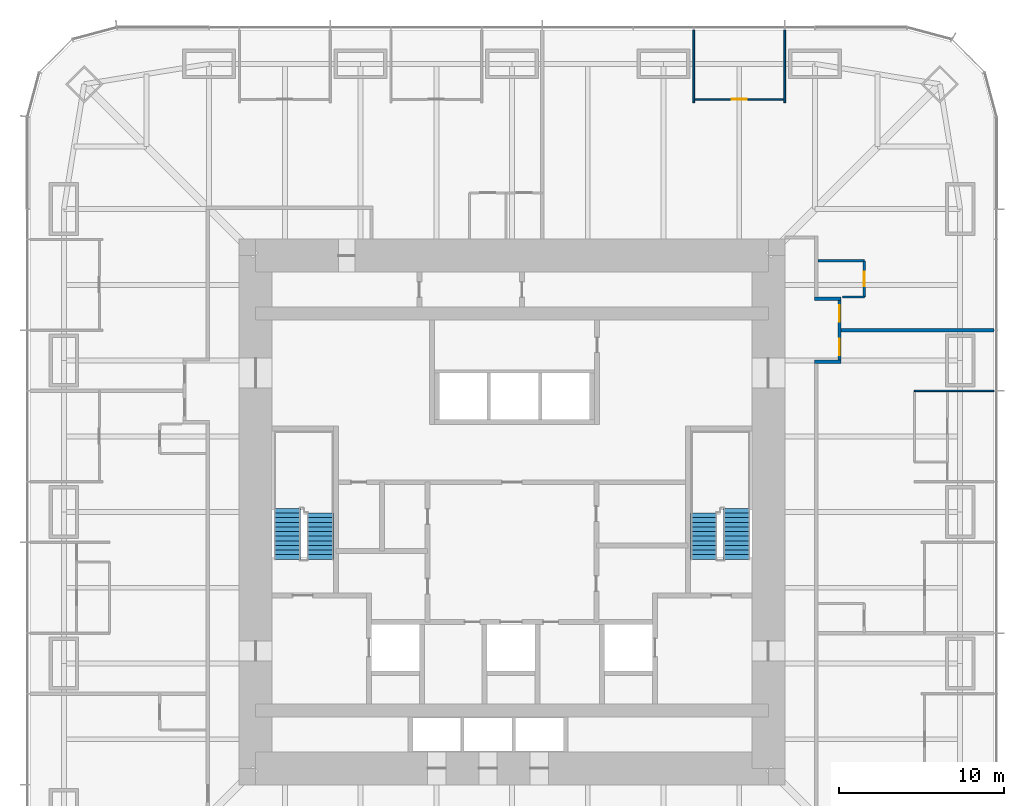
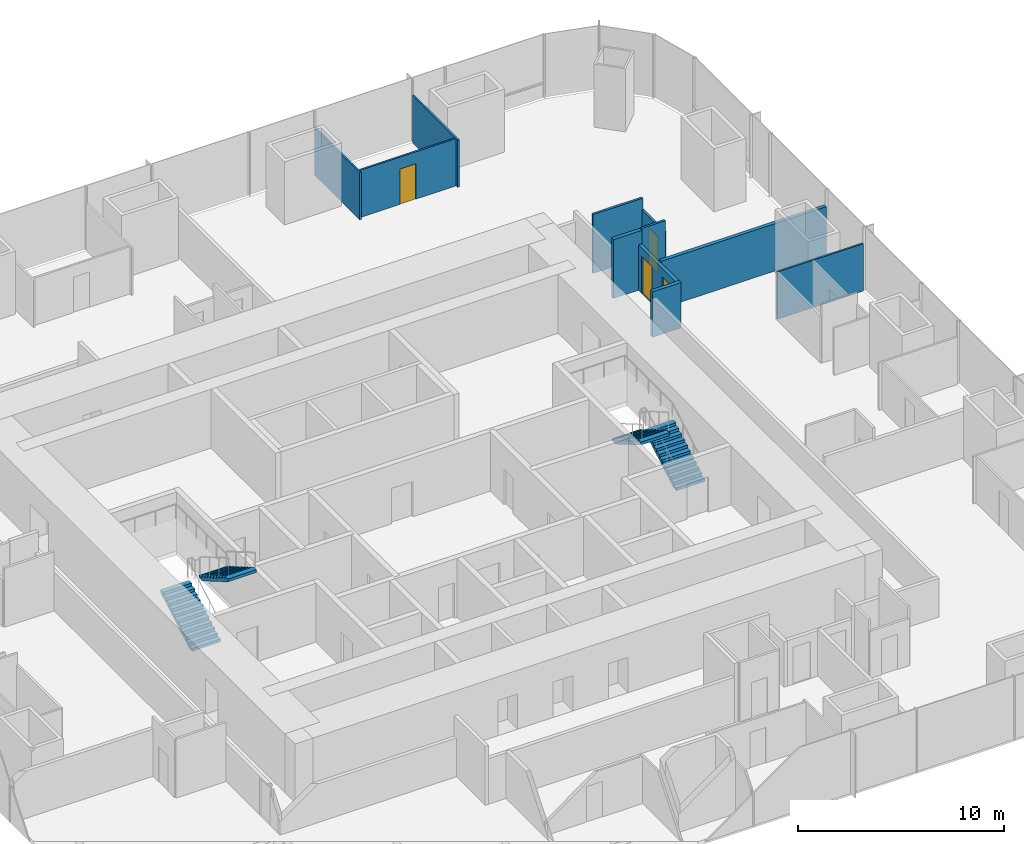
# One storey, part 12 of 13: 11 walls, 4 doors, 4 stair flights, 4 openings, 2 elements without a shape of their own.
"""IFC4 building model written with IfcOpenShell, lengths in metres."""

from ifc_helpers import new_model, si_unit, direction, frame, frame_2d, origin, place, context, subcontext, project, spatial, polyline, rectangle, outline, extrude, material, layer, layer_set, type_object, element, fill, aggregate, save


model = new_model("IFC4")

# Units and contexts
model_context = context("Model", 3, precision=1e-05, world=origin(), true_north=direction((0.0, 1.0)))
body_context = subcontext(model_context, "Body", "Model", "MODEL_VIEW")
ifc_project = project(units=[si_unit("LENGTHUNIT", "METRE"), si_unit("AREAUNIT", "SQUARE_METRE"), si_unit("VOLUMEUNIT", "CUBIC_METRE"), si_unit("PLANEANGLEUNIT", "RADIAN"), si_unit("MASSUNIT", "GRAM", prefix="KILO")], contexts=[model_context])

# Site, building, storey
site_placement = place(None, origin())
site = spatial("IfcSite", under=ifc_project, at=site_placement, CompositionType="ELEMENT")
building_placement = place(site_placement, origin())
building = spatial("IfcBuilding", under=site, at=building_placement, Name="Khuree Lantern Residences", CompositionType="ELEMENT")
storey_placement = place(building_placement, frame((0.0, 0.0, 118.5)))
storey = spatial("IfcBuildingStorey", under=building, at=storey_placement, Name="L29", CompositionType="ELEMENT", Elevation=118.5)

# Wall, opening, door
ifc_material_1 = material(Name="Moisture-resistant gypsum board on steel studs", Category="steel")
ifc_layer_1 = layer(ifc_material_1, 0.125)
ifc_layer_set_1 = layer_set([ifc_layer_1], Name="BATHROOM WALL BTW125")
wall_type_1 = type_object("IfcWallType", Name="BATHROOM WALL BTW125", PredefinedType="PARTITIONING", material=ifc_layer_set_1)
wall_1_placement = place(storey_placement, frame((21.300048828125, 12.991943359375, 0.0), z_axis=(0.0, 0.0, 1.0), x_axis=(0.0, 1.0, 0.0)))
wall_1 = element("IfcWall", 1, at=wall_1_placement, inside=storey, type_object=wall_type_1, Name="L29 BATHROOM WALL 02", PredefinedType="PARTITIONING", context=body_context, shape_type="SweptSolid", body=[
    extrude(rectangle(XDim=2.199951171875, YDim=0.125, at=frame_2d((1.10009765625, 0.0))), origin(), (0.0, 0.0, 1.0), 2.81005859375),
])
opening_1_placement = place(wall_1_placement, frame((0.64990234375, 0.0, 0.0)))
opening_1 = element("IfcOpeningElement", 2, at=opening_1_placement, cuts=wall_1, Name="Opening 29-031", PredefinedType="OPENING", context=body_context, shape_type="SweptSolid", body=[
    extrude(rectangle(XDim=0.89990234375, YDim=2.10009765625, at=frame_2d((0.449951171875, 1.050048828125))), frame((0.0, 0.072509765625, 0.0), z_axis=(0.0, -1.0, 0.0), x_axis=(1.0, 0.0, 0.0)), (0.0, 0.0, 1.0), 0.14501953125),
])
ifc_material_2 = material(Name="Timber door leaf in hardwood frame", Category="wood")
door_type_1 = type_object("IfcDoorType", Name="BATHROOM DOOR 900X2100", OperationType="SINGLE_SWING_LEFT", PredefinedType="DOOR", material=ifc_material_2)
door_1_placement = place(opening_1_placement, origin())
door_1 = element("IfcDoor", 3, at=door_1_placement, inside=storey, type_object=door_type_1, Name="Bathroom door 29-031", OperationType="SINGLE_SWING_LEFT", OverallHeight=2.10009765625, OverallWidth=0.89990234375, PredefinedType="DOOR", context=body_context, shape_type="SweptSolid", body=[
    extrude(rectangle(XDim=0.89990234375, YDim=2.10009765625, at=frame_2d((0.449951171875, 1.050048828125))), frame((0.0, 0.02490234375, 0.0), z_axis=(0.0, -1.0, 0.0), x_axis=(1.0, 0.0, 0.0)), (0.0, 0.0, 1.0), 0.050048828125),
])
fill(opening_1, door_1)

# Walls
wall_2_placement = place(storey_placement, frame((19.969970703125, 12.991943359375, 0.0), z_axis=(0.0, 0.0, 1.0), x_axis=(1.0, 0.0, 0.0)))
element("IfcWall", 4, at=wall_2_placement, inside=storey, type_object=wall_type_1, Name="L29 BATHROOM WALL 02", PredefinedType="PARTITIONING", context=body_context, shape_type="SweptSolid", body=[
    extrude(rectangle(XDim=1.330078125, YDim=0.125, at=frame_2d((0.6650390625, 0.0))), origin(), (0.0, 0.0, 1.0), 3.5),
])
wall_3_placement = place(storey_placement, frame((18.5, 15.19189453125, 0.0), z_axis=(0.0, 0.0, 1.0), x_axis=(1.0, 0.0, 0.0)))
element("IfcWall", 5, at=wall_3_placement, inside=storey, type_object=wall_type_1, Name="L29 BATHROOM WALL 02", PredefinedType="PARTITIONING", context=body_context, shape_type="SweptSolid", body=[
    extrude(rectangle(XDim=2.800048828125, YDim=0.125, at=frame_2d((1.39990234375, 0.0))), origin(), (0.0, 0.0, 1.0), 3.5),
])
ifc_material_3 = material(Name="Gypsum board on steel studs", Category="steel")
ifc_layer_2 = layer(ifc_material_3, 0.199951171875)
ifc_layer_set_2 = layer_set([ifc_layer_2], Name="CORRIDOR WALL CRW200 EI 60")
wall_type_2 = type_object("IfcWallType", Name="CORRIDOR WALL CRW200 EI 60", PredefinedType="PARTITIONING", material=ifc_layer_set_2)
wall_4_placement = place(storey_placement, frame((18.300048828125, 9.092041015625, 0.0), z_axis=(0.0, 0.0, 1.0), x_axis=(1.0, 0.0, 0.0)))
element("IfcWall", 6, at=wall_4_placement, inside=storey, type_object=wall_type_2, Name="L29 CORRIDOR ALCOVE WALL EAST", PredefinedType="PARTITIONING", context=body_context, shape_type="SweptSolid", body=[
    extrude(rectangle(XDim=1.599853515625, YDim=0.199951171875, at=frame_2d((0.7998046875, 0.0))), origin(), (0.0, 0.0, 1.0), 2.699951171875),
])
wall_5_placement = place(storey_placement, frame((18.300048828125, 12.89208984375, 0.0), z_axis=(0.0, 0.0, 1.0), x_axis=(1.0, 0.0, 0.0)))
element("IfcWall", 7, at=wall_5_placement, inside=storey, type_object=wall_type_2, Name="L29 CORRIDOR ALCOVE WALL EAST", PredefinedType="PARTITIONING", context=body_context, shape_type="SweptSolid", body=[
    extrude(rectangle(XDim=1.599853515625, YDim=0.199951171875, at=frame_2d((0.7998046875, 0.0))), origin(), (0.0, 0.0, 1.0), 3.5),
])

# Wall, openings, doors
wall_6_placement = place(storey_placement, frame((19.800048828125, 9.19189453125, 0.0), z_axis=(0.0, 0.0, 1.0), x_axis=(0.0, 1.0, 0.0)))
wall_6 = element("IfcWall", 8, at=wall_6_placement, inside=storey, type_object=wall_type_2, Name="L29 CORRIDOR ALCOVE WALL EAST", PredefinedType="PARTITIONING", context=body_context, shape_type="SweptSolid", body=[
    extrude(rectangle(XDim=3.60009765625, YDim=0.199951171875, at=frame_2d((1.800048828125, 0.0))), origin(), (0.0, 0.0, 1.0), 2.699951171875),
])
opening_2_placement = place(wall_6_placement, frame((0.300048828125, 0.0, 0.0)))
opening_2 = element("IfcOpeningElement", 9, at=opening_2_placement, cuts=wall_6, Name="Opening 29-029", PredefinedType="OPENING", context=body_context, shape_type="SweptSolid", body=[
    extrude(rectangle(XDim=1.0, YDim=2.199951171875, at=frame_2d((0.5, 1.10009765625))), frame((0.0, 0.10986328125, 0.0), z_axis=(0.0, -1.0, 0.0), x_axis=(1.0, 0.0, 0.0)), (0.0, 0.0, 1.0), 0.219970703125),
])
opening_3_placement = place(wall_6_placement, frame((2.300048828125, 0.0, 0.0)))
opening_3 = element("IfcOpeningElement", 10, at=opening_3_placement, cuts=wall_6, Name="Opening 29-032", PredefinedType="OPENING", context=body_context, shape_type="SweptSolid", body=[
    extrude(rectangle(XDim=1.0, YDim=2.199951171875, at=frame_2d((0.5, 1.10009765625))), frame((0.0, 0.10986328125, 0.0), z_axis=(0.0, -1.0, 0.0), x_axis=(1.0, 0.0, 0.0)), (0.0, 0.0, 1.0), 0.219970703125),
])
door_type_2 = type_object("IfcDoorType", Name="APARTMENT ENTRANCE DOOR 1000X2200 EI 30S", OperationType="SINGLE_SWING_LEFT", PredefinedType="DOOR", material=ifc_material_2)
door_2_placement = place(opening_2_placement, origin())
door_2 = element("IfcDoor", 11, at=door_2_placement, inside=storey, type_object=door_type_2, Name="Apartment 01 entrance door 29-029", OperationType="SINGLE_SWING_LEFT", OverallHeight=2.199951171875, OverallWidth=1.0, PredefinedType="DOOR", context=body_context, shape_type="SweptSolid", body=[
    extrude(rectangle(XDim=1.0, YDim=2.199951171875, at=frame_2d((0.5, 1.10009765625))), frame((0.0, 0.02490234375, 0.0), z_axis=(0.0, -1.0, 0.0), x_axis=(1.0, 0.0, 0.0)), (0.0, 0.0, 1.0), 0.050048828125),
])
fill(opening_2, door_2)
door_type_3 = type_object("IfcDoorType", Name="APARTMENT ENTRANCE DOOR 1000X2200 EI 30S RIGHT HAND", OperationType="SINGLE_SWING_RIGHT", PredefinedType="DOOR", material=ifc_material_2)
door_3_placement = place(opening_3_placement, origin())
door_3 = element("IfcDoor", 12, at=door_3_placement, inside=storey, type_object=door_type_3, Name="Apartment 02 entrance door 29-032", OperationType="SINGLE_SWING_RIGHT", OverallHeight=2.199951171875, OverallWidth=1.0, PredefinedType="DOOR", context=body_context, shape_type="SweptSolid", body=[
    extrude(rectangle(XDim=1.0, YDim=2.199951171875, at=frame_2d((0.5, 1.10009765625))), frame((0.0, 0.02490234375, 0.0), z_axis=(0.0, -1.0, 0.0), x_axis=(1.0, 0.0, 0.0)), (0.0, 0.0, 1.0), 0.050048828125),
])
fill(opening_3, door_3)

# Walls
ifc_layer_3 = layer(ifc_material_3, 0.199951171875)
ifc_layer_set_3 = layer_set([ifc_layer_3], Name="DEMISING WALL DMW200 EI 90")
wall_type_3 = type_object("IfcWallType", Name="DEMISING WALL DMW200 EI 90", PredefinedType="PARTITIONING", material=ifc_layer_set_3)
wall_7_placement = place(storey_placement, frame((19.89990234375, 10.991943359375, 0.0), z_axis=(0.0, 0.0, 1.0), x_axis=(1.0, 0.0, 0.0)))
element("IfcWall", 13, at=wall_7_placement, inside=storey, type_object=wall_type_3, Name="L29 DEMISING WALL 02", PredefinedType="PARTITIONING", context=body_context, shape_type="SweptSolid", body=[
    extrude(rectangle(XDim=9.25, YDim=0.199951171875, at=frame_2d((4.625, 0.0))), origin(), (0.0, 0.0, 1.0), 2.81005859375),
])
ifc_layer_4 = layer(ifc_material_3, 0.10009765625)
ifc_layer_set_4 = layer_set([ifc_layer_4], Name="PARTITION PT100")
wall_type_4 = type_object("IfcWallType", Name="PARTITION PT100", PredefinedType="PARTITIONING", material=ifc_layer_set_4)
wall_8_placement = place(storey_placement, frame((24.329833984375, 7.327880859375, 0.0), z_axis=(0.0, 0.0, 1.0), x_axis=(1.0, 0.0, 0.0)))
element("IfcWall", 14, at=wall_8_placement, inside=storey, type_object=wall_type_4, Name="L29 PARTITION 01", PredefinedType="PARTITIONING", context=body_context, shape_type="SweptSolid", body=[
    extrude(rectangle(XDim=4.820068359375, YDim=0.10009765625, at=frame_2d((2.41015625, 0.0))), origin(), (0.0, 0.0, 1.0), 2.81005859375),
])
for number, where, z_axis, x_axis, name in (
    (15, (16.488037109375, 24.75, 0.0), (0.0, 0.0, 1.0), (0.0, 1.0, 0.0), "L29 PARTITION 02"),
    (16, (10.991943359375, 24.75, 0.0), (0.0, 0.0, 1.0), (0.0, 1.0, 0.0), "L29 PARTITION 02"),
):
    element("IfcWall", number, at=place(storey_placement, frame(where, z_axis=z_axis, x_axis=x_axis)), inside=storey, type_object=wall_type_4, Name=name, PredefinedType="PARTITIONING", context=body_context, shape_type="SweptSolid", body=[
        extrude(rectangle(XDim=4.39990234375, YDim=0.10009765625, at=frame_2d((2.199951171875, 0.0))), origin(), (0.0, 0.0, 1.0), 2.81005859375),
    ])

# Wall, opening, door
wall_9_placement = place(storey_placement, frame((16.488037109375, 24.949951171875, 0.0), z_axis=(0.0, 0.0, 1.0), x_axis=(-1.0, 0.0, 0.0)))
wall_9 = element("IfcWall", 17, at=wall_9_placement, inside=storey, type_object=wall_type_4, Name="L29 PARTITION 02", PredefinedType="PARTITIONING", context=body_context, shape_type="SweptSolid", body=[
    extrude(rectangle(XDim=5.49609375, YDim=0.10009765625, at=frame_2d((2.748046875, 0.0))), origin(), (0.0, 0.0, 1.0), 2.81005859375),
])
opening_4_placement = place(wall_9_placement, frame((2.298095703125, 0.0, 0.0)))
opening_4 = element("IfcOpeningElement", 18, at=opening_4_placement, cuts=wall_9, Name="Opening 29-030", PredefinedType="OPENING", context=body_context, shape_type="SweptSolid", body=[
    extrude(rectangle(XDim=0.89990234375, YDim=2.10009765625, at=frame_2d((0.449951171875, 1.050048828125))), frame((0.0, 0.06005859375, 0.0), z_axis=(0.0, -1.0, 0.0), x_axis=(1.0, 0.0, 0.0)), (0.0, 0.0, 1.0), 0.1201171875),
])
door_type_4 = type_object("IfcDoorType", Name="BEDROOM DOOR 900X2100", OperationType="SINGLE_SWING_LEFT", PredefinedType="DOOR", material=ifc_material_2)
door_4_placement = place(opening_4_placement, origin())
door_4 = element("IfcDoor", 19, at=door_4_placement, inside=storey, type_object=door_type_4, Name="Bedroom door 29-030", OperationType="SINGLE_SWING_LEFT", OverallHeight=2.10009765625, OverallWidth=0.89990234375, PredefinedType="DOOR", context=body_context, shape_type="SweptSolid", body=[
    extrude(rectangle(XDim=0.89990234375, YDim=2.10009765625, at=frame_2d((0.449951171875, 1.050048828125))), frame((0.0, 0.02490234375, 0.0), z_axis=(0.0, -1.0, 0.0), x_axis=(1.0, 0.0, 0.0)), (0.0, 0.0, 1.0), 0.050048828125),
])
fill(opening_4, door_4)

# Stair, stair flights
ifc_material_4 = material(Name="Concrete C40/50", Category="concrete")
stair_type = type_object("IfcStairType", Name="STAIR ST1 HALF TURN 3600", PredefinedType="HALF_TURN_STAIR", material=ifc_material_4)
stair_1_placement = place(storey_placement, origin())
stair_1 = element("IfcStair", 20, at=stair_1_placement, inside=storey, type_object=stair_type, Name="Stair ST1", PredefinedType="HALF_TURN_STAIR")
stair_flight_type = type_object("IfcStairFlightType", Name="STAIR FLIGHT SF1 1600", PredefinedType="STRAIGHT", material=ifc_material_4)
stair_flight_1_placement = place(storey_placement, frame((-13.60009765625, -2.860107421875, 0.0), z_axis=(0.0, 0.0, 1.0), x_axis=(0.0, 1.0, 0.0)))
stair_flight_1 = element("IfcStairFlight", 21, at=stair_flight_1_placement, type_object=stair_flight_type, Name="ST1 flight 1", NumberOfRisers=12, NumberOfTreads=11, PredefinedType="STRAIGHT", RiserHeight=0.163043478, TreadLength=0.28, context=body_context, shape_type="SweptSolid", body=[
    extrude(outline(polyline([(0.0, 0.0), (0.0, 0.1630859375), (0.280029296875, 0.1630859375), (0.280029296875, 0.326171875), (0.56005859375, 0.326171875), (0.56005859375, 0.489013671875), (0.840087890625, 0.489013671875), (0.840087890625, 0.652099609375), (1.1201171875, 0.652099609375), (1.1201171875, 0.815185546875), (1.39990234375, 0.815185546875), (1.39990234375, 0.978271484375), (1.679931640625, 0.978271484375), (1.679931640625, 1.141357421875), (1.9599609375, 1.141357421875), (1.9599609375, 1.304443359375), (2.239990234375, 1.304443359375), (2.239990234375, 1.46728515625), (2.52001953125, 1.46728515625), (2.52001953125, 1.63037109375), (2.800048828125, 1.63037109375), (2.800048828125, 1.79345703125), (3.080078125, 1.79345703125), (3.080078125, 1.95654296875), (3.080078125, 1.6201171875), (0.2978515625, 0.0), (0.0, 0.0)])), frame((0.0, 0.800048828125, 0.0), z_axis=(0.0, -1.0, 0.0), x_axis=(1.0, 0.0, 0.0)), (0.0, 0.0, 1.0), 1.60009765625),
])
stair_flight_2_placement = place(storey_placement, frame((-11.60009765625, -0.06005859375, 1.95654296875), z_axis=(0.0, 0.0, 1.0), x_axis=(0.0, -1.0, 0.0)))
stair_flight_2 = element("IfcStairFlight", 22, at=stair_flight_2_placement, type_object=stair_flight_type, Name="ST1 flight 2", NumberOfRisers=11, NumberOfTreads=10, PredefinedType="STRAIGHT", RiserHeight=0.163043478, TreadLength=0.28, context=body_context, shape_type="SweptSolid", body=[
    extrude(outline(polyline([(0.0, 0.0), (0.0, 0.1630859375), (0.280029296875, 0.1630859375), (0.280029296875, 0.326171875), (0.56005859375, 0.326171875), (0.56005859375, 0.489013671875), (0.840087890625, 0.489013671875), (0.840087890625, 0.652099609375), (1.1201171875, 0.652099609375), (1.1201171875, 0.815185546875), (1.39990234375, 0.815185546875), (1.39990234375, 0.978271484375), (1.679931640625, 0.978271484375), (1.679931640625, 1.141357421875), (1.9599609375, 1.141357421875), (1.9599609375, 1.304443359375), (2.239990234375, 1.304443359375), (2.239990234375, 1.46728515625), (2.52001953125, 1.46728515625), (2.52001953125, 1.63037109375), (2.800048828125, 1.63037109375), (2.800048828125, 1.79345703125), (2.800048828125, 1.45703125), (0.2978515625, 0.0), (0.0, 0.0)])), frame((0.0, 0.800048828125, 0.0), z_axis=(0.0, -1.0, 0.0), x_axis=(1.0, 0.0, 0.0)), (0.0, 0.0, 1.0), 1.60009765625),
])
aggregate(stair_1, [stair_flight_1, stair_flight_2])

stair_2_placement = place(storey_placement, origin())
stair_2 = element("IfcStair", 23, at=stair_2_placement, inside=storey, type_object=stair_type, Name="Stair ST2", PredefinedType="HALF_TURN_STAIR")
stair_flight_3_placement = place(storey_placement, frame((13.60009765625, -2.860107421875, 0.0), z_axis=(0.0, 0.0, 1.0), x_axis=(0.0, 1.0, 0.0)))
stair_flight_3 = element("IfcStairFlight", 24, at=stair_flight_3_placement, type_object=stair_flight_type, Name="ST2 flight 1", NumberOfRisers=12, NumberOfTreads=11, PredefinedType="STRAIGHT", RiserHeight=0.163043478, TreadLength=0.28, context=body_context, shape_type="SweptSolid", body=[
    extrude(outline(polyline([(0.0, 0.0), (0.0, 0.1630859375), (0.280029296875, 0.1630859375), (0.280029296875, 0.326171875), (0.56005859375, 0.326171875), (0.56005859375, 0.489013671875), (0.840087890625, 0.489013671875), (0.840087890625, 0.652099609375), (1.1201171875, 0.652099609375), (1.1201171875, 0.815185546875), (1.39990234375, 0.815185546875), (1.39990234375, 0.978271484375), (1.679931640625, 0.978271484375), (1.679931640625, 1.141357421875), (1.9599609375, 1.141357421875), (1.9599609375, 1.304443359375), (2.239990234375, 1.304443359375), (2.239990234375, 1.46728515625), (2.52001953125, 1.46728515625), (2.52001953125, 1.63037109375), (2.800048828125, 1.63037109375), (2.800048828125, 1.79345703125), (3.080078125, 1.79345703125), (3.080078125, 1.95654296875), (3.080078125, 1.6201171875), (0.2978515625, 0.0), (0.0, 0.0)])), frame((0.0, 0.800048828125, 0.0), z_axis=(0.0, -1.0, 0.0), x_axis=(1.0, 0.0, 0.0)), (0.0, 0.0, 1.0), 1.60009765625),
])
stair_flight_4_placement = place(storey_placement, frame((11.60009765625, -0.06005859375, 1.95654296875), z_axis=(0.0, 0.0, 1.0), x_axis=(0.0, -1.0, 0.0)))
stair_flight_4 = element("IfcStairFlight", 25, at=stair_flight_4_placement, type_object=stair_flight_type, Name="ST2 flight 2", NumberOfRisers=11, NumberOfTreads=10, PredefinedType="STRAIGHT", RiserHeight=0.163043478, TreadLength=0.28, context=body_context, shape_type="SweptSolid", body=[
    extrude(outline(polyline([(0.0, 0.0), (0.0, 0.1630859375), (0.280029296875, 0.1630859375), (0.280029296875, 0.326171875), (0.56005859375, 0.326171875), (0.56005859375, 0.489013671875), (0.840087890625, 0.489013671875), (0.840087890625, 0.652099609375), (1.1201171875, 0.652099609375), (1.1201171875, 0.815185546875), (1.39990234375, 0.815185546875), (1.39990234375, 0.978271484375), (1.679931640625, 0.978271484375), (1.679931640625, 1.141357421875), (1.9599609375, 1.141357421875), (1.9599609375, 1.304443359375), (2.239990234375, 1.304443359375), (2.239990234375, 1.46728515625), (2.52001953125, 1.46728515625), (2.52001953125, 1.63037109375), (2.800048828125, 1.63037109375), (2.800048828125, 1.79345703125), (2.800048828125, 1.45703125), (0.2978515625, 0.0), (0.0, 0.0)])), frame((0.0, 0.800048828125, 0.0), z_axis=(0.0, -1.0, 0.0), x_axis=(1.0, 0.0, 0.0)), (0.0, 0.0, 1.0), 1.60009765625),
])
aggregate(stair_2, [stair_flight_3, stair_flight_4])

save(model, "model.ifc")
